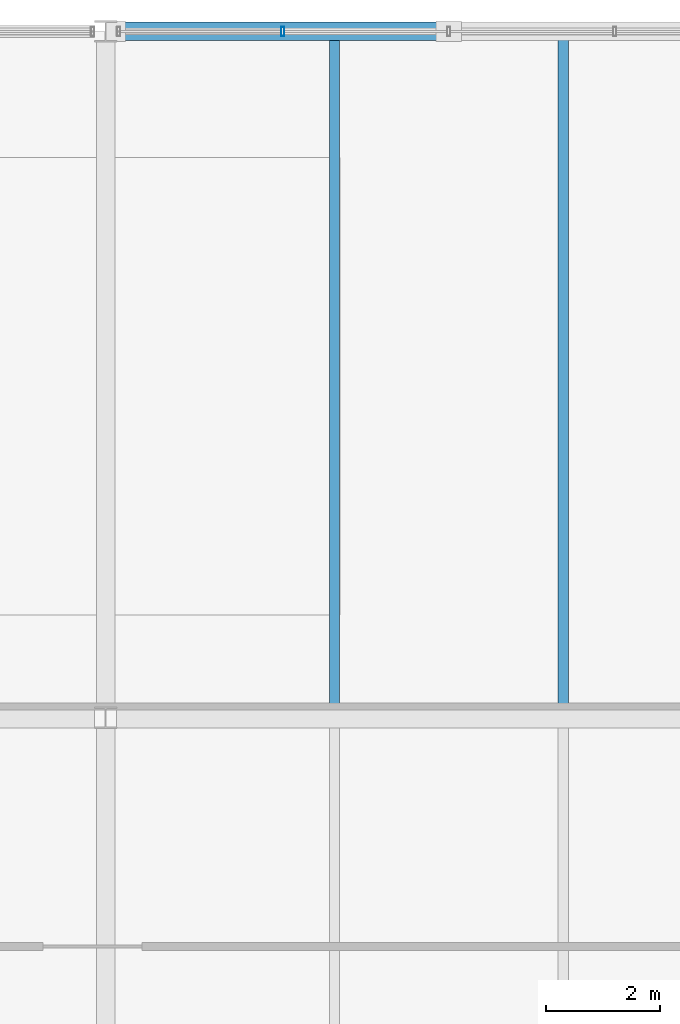
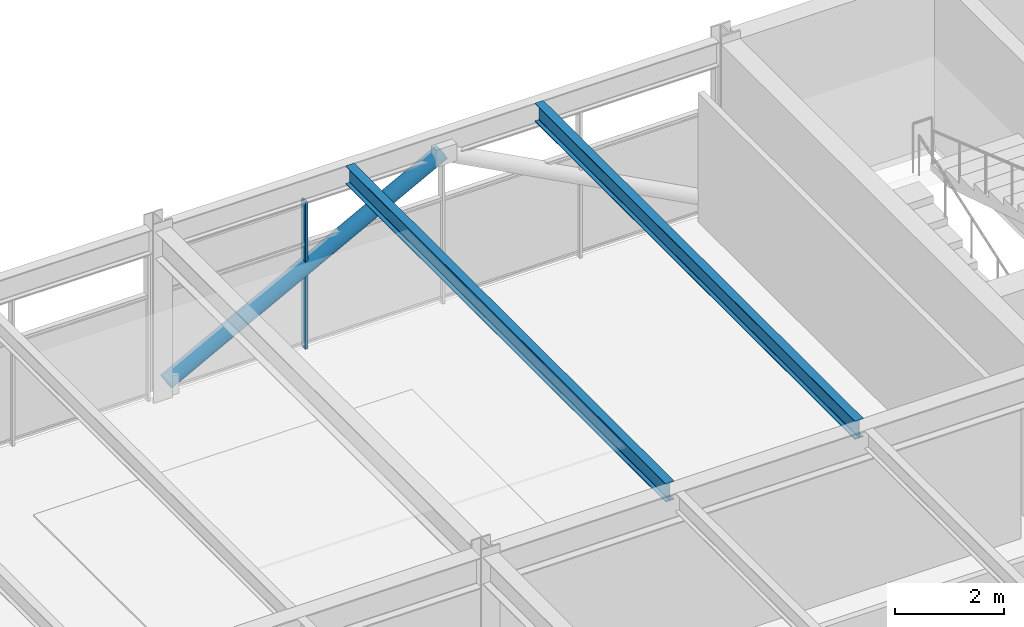
# One storey, part 19 of 51: 2 beams, 2 members, 1 element without a shape of its own.
"""IFC4 building model written with IfcOpenShell, lengths in metres."""

from ifc_helpers import new_model, si_unit, direction, frame, origin, origin_2d, place, context, subcontext, project, spatial, hollow_rectangle, hollow_circle, i_section, extrude, material, material_profile, profile_set, type_object, element, aggregate, save


model = new_model("IFC4")

# Units and contexts
model_context = context("Model", 3, precision=1e-05, world=origin(), true_north=direction((0.0, 1.0)))
body_context = subcontext(model_context, "Body", "Model", "MODEL_VIEW")
ifc_project = project(units=[si_unit("LENGTHUNIT", "METRE"), si_unit("AREAUNIT", "SQUARE_METRE"), si_unit("VOLUMEUNIT", "CUBIC_METRE"), si_unit("PLANEANGLEUNIT", "RADIAN"), si_unit("MASSUNIT", "GRAM", prefix="KILO")], contexts=[model_context])

# Site, building, storey
site_placement = place(None, origin())
site = spatial("IfcSite", under=ifc_project, at=site_placement, CompositionType="ELEMENT")
building_placement = place(site_placement, origin())
building = spatial("IfcBuilding", under=site, at=building_placement, Name="Girod Span Mobility Hub", CompositionType="ELEMENT")
storey_placement = place(building_placement, frame((0.0, 0.0, 41.60009765625)))
storey = spatial("IfcBuildingStorey", under=building, at=storey_placement, Name="L10", CompositionType="ELEMENT", Elevation=41.60009765625)

# Beams
ifc_material_1 = material(Name="Steel A992 Grade 50", Category="steel")
ifc_material_profile_1 = material_profile(ifc_material_1, i_section(OverallWidth=0.178955078125, OverallDepth=0.409912109375, WebThickness=0.0087890625, FlangeThickness=0.014404296875, FilletRadius=0.012939453125, at=origin_2d()), Name="W16X45")
ifc_profile_set_1 = profile_set([ifc_material_profile_1], Name="Steel A992 Grade 50")
beam_type = type_object("IfcBeamType", Name="BM-STL-W16X45", PredefinedType="BEAM", material=ifc_profile_set_1)
for number, where, z_axis, x_axis, name in (
    (1, (40.0, 57.174560546875, 3.619873046875), (0.0, 1.0, 0.0), (-1.0, 0.0, 0.0), "Composite Floorbeam 4/E-1 L10"),
    (2, (44.0, 57.174560546875, 3.619873046875), (0.0, 1.0, 0.0), (-1.0, 0.0, 0.0), "Composite Floorbeam 4/E-2 L10"),
):
    element("IfcBeam", number, at=place(storey_placement, frame(where, z_axis=z_axis, x_axis=x_axis)), inside=storey, type_object=beam_type, Name=name, PredefinedType="BEAM", context=body_context, shape_type="SweptSolid", body=[
        extrude(i_section(OverallWidth=0.178955078125, OverallDepth=0.409912109375, WebThickness=0.0087890625, FlangeThickness=0.014404296875, FilletRadius=0.012939453125, at=origin_2d()), origin(), (0.0, 0.0, 1.0), 11.722412109375),
    ])

# Curtain wall, member
ifc_material_2 = material(Name="Thermally Broken Anodised Aluminium", Category="aluminium")
curtain_wall_type = type_object("IfcCurtainWallType", Name="CW-1161X328", PredefinedType="USERDEFINED", material=ifc_material_2)
curtain_wall_placement = place(storey_placement, origin())
curtain_wall = element("IfcCurtainWall", 3, at=curtain_wall_placement, inside=storey, type_object=curtain_wall_type, Name="Unitised Curtain Wall CW-L10-N04 L10", ObjectType="UNITISED CURTAIN WALL", PredefinedType="USERDEFINED")
ifc_material_3 = material(Name="Thermally Broken Anodised Aluminium", Category="aluminium")
ifc_material_profile_2 = material_profile(ifc_material_3, hollow_rectangle(XDim=0.159912109375, YDim=0.06005859375, WallThickness=0.00341796875, InnerFilletRadius=0.00341796875, OuterFilletRadius=0.007080078125, at=origin_2d()), Name="CW-ML-60X160")
ifc_profile_set_2 = profile_set([ifc_material_profile_2], Name="Thermally Broken Anodised Aluminium")
member_type_1 = type_object("IfcMemberType", Name="CWM-ML-3", PredefinedType="MULLION", material=ifc_profile_set_2)
member_1_placement = place(storey_placement, frame((39.096923828125, 69.0, 0.0), z_axis=(0.0, 0.0, 1.0), x_axis=(0.0, 1.0, 0.0)))
member_1 = element("IfcMember", 4, at=member_1_placement, type_object=member_type_1, Name="Curtain Wall Mullion CW-L10-N04-M1", PredefinedType="MULLION", context=body_context, shape_type="SweptSolid", body=[
    extrude(hollow_rectangle(XDim=0.159912109375, YDim=0.06005859375, WallThickness=0.00341796875, InnerFilletRadius=0.00341796875, OuterFilletRadius=0.007080078125, at=origin_2d()), origin(), (0.0, 0.0, 1.0), 3.281005859375),
])
aggregate(curtain_wall, [member_1])

# Member
ifc_material_4 = material(Name="Steel HSS A500 Grade C", Category="steel")
ifc_material_profile_3 = material_profile(ifc_material_4, hollow_circle(Radius=0.162109375, WallThickness=0.01171875, at=origin_2d()), Name="HSS324X12.7")
ifc_profile_set_3 = profile_set([ifc_material_profile_3], Name="Steel HSS A500 Grade C")
member_type_2 = type_object("IfcMemberType", Name="MB-BR-HSS324", PredefinedType="BRACE", material=ifc_profile_set_3)
member_2_placement = place(storey_placement, frame((36.177001953125, 69.0, 0.25), z_axis=(0.883282045976, 0.0, 0.468842006711), x_axis=(0.0, 1.0, 0.0)))
element("IfcMember", 5, at=member_2_placement, inside=storey, type_object=member_type_2, Name="Upper Diagrid Brace 4/F-L L10", PredefinedType="BRACE", context=body_context, shape_type="SweptSolid", body=[
    extrude(hollow_circle(Radius=0.162109375, WallThickness=0.01171875, at=origin_2d()), origin(), (0.0, 0.0, 1.0), 6.592529296875),
])

save(model, "model.ifc")
